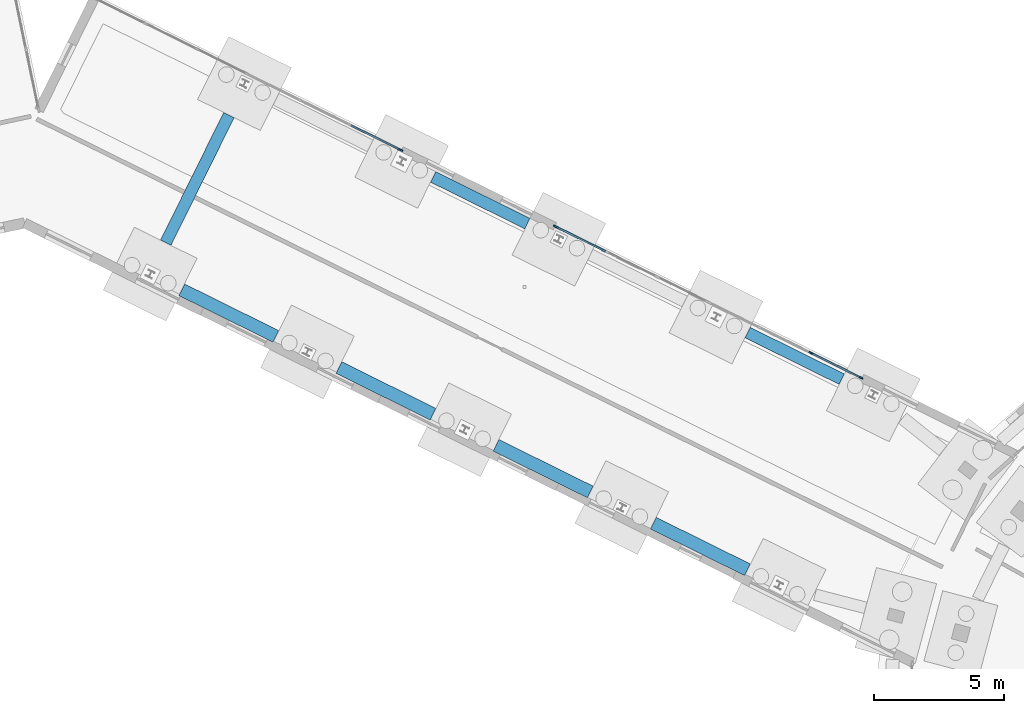
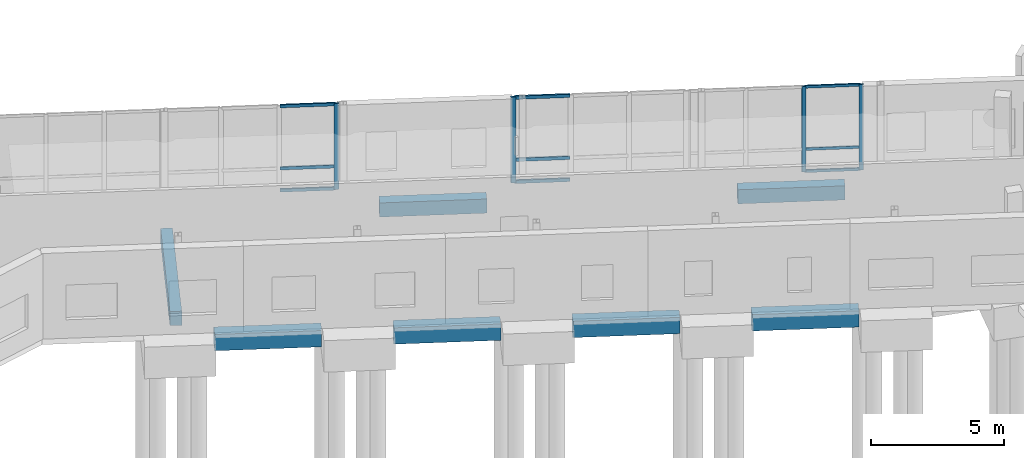
# One storey, part 60 of 113: 13 members, 7 beams, 3 elements without a shape of their own.
"""IFC4 building model written with IfcOpenShell, lengths in metres."""

from ifc_helpers import new_model, si_unit, direction, frame, origin, origin_2d, place, context, subcontext, project, spatial, rectangle, extrude, material, material_profile, profile_set, type_object, element, aggregate, save


model = new_model("IFC4")

# Units and contexts
model_context = context("Model", 3, precision=1e-05, world=origin(), true_north=direction((0.0, 1.0)))
body_context = subcontext(model_context, "Body", "Model", "MODEL_VIEW")
ifc_project = project(units=[si_unit("LENGTHUNIT", "METRE"), si_unit("AREAUNIT", "SQUARE_METRE"), si_unit("VOLUMEUNIT", "CUBIC_METRE"), si_unit("PLANEANGLEUNIT", "RADIAN"), si_unit("MASSUNIT", "GRAM", prefix="KILO")], contexts=[model_context])

# Site, building, storey
site_placement = place(None, origin())
site = spatial("IfcSite", under=ifc_project, at=site_placement, CompositionType="ELEMENT")
building_placement = place(site_placement, origin())
building = spatial("IfcBuilding", under=site, at=building_placement, Name="Wrenclough Park School", CompositionType="ELEMENT")
storey_placement = place(building_placement, origin())
storey = spatial("IfcBuildingStorey", under=building, at=storey_placement, Name="L00", CompositionType="ELEMENT", Elevation=0.0)

# Curtain wall, members
ifc_material_1 = material(Name="Thermally broken aluminium and low-e glass curtain wall", Category="aluminium")
curtain_wall_type_1 = type_object("IfcCurtainWallType", Name="ENV-CW-06", PredefinedType="USERDEFINED", material=ifc_material_1)
curtain_wall_1_placement = place(storey_placement, origin())
curtain_wall_1 = element("IfcCurtainWall", 1, at=curtain_wall_1_placement, inside=storey, type_object=curtain_wall_type_1, Name="L00 recessed curtain wall assembly 021", ObjectType="CURTAIN WALL", PredefinedType="USERDEFINED")
ifc_material_2 = material(Name="Thermally broken anodised aluminium", Category="aluminium")
ifc_material_profile_1 = material_profile(ifc_material_2, rectangle(XDim=0.06005859375, YDim=0.159912109375, at=origin_2d()), Name="AL MULLION 60x160")
ifc_profile_set_1 = profile_set([ifc_material_profile_1], Name="Thermally broken anodised aluminium")
member_type_1 = type_object("IfcMemberType", Name="ENV-CWM-1", PredefinedType="MULLION", material=ifc_profile_set_1)
member_1_placement = place(storey_placement, frame((155.720947265625, 107.791259765625, 0.0), z_axis=(0.0, 0.0, 1.0), x_axis=(0.4434991421, 0.896274796564, 0.0)))
member_1 = element("IfcMember", 2, at=member_1_placement, type_object=member_type_1, Name="CW-06 mullion 3", PredefinedType="MULLION", context=body_context, shape_type="SweptSolid", body=[
    extrude(rectangle(XDim=0.06005859375, YDim=0.159912109375, at=origin_2d()), origin(), (0.0, 0.0, 1.0), 3.93994140625),
])
member_2_placement = place(storey_placement, frame((157.6650390625, 106.829345703125, 0.0), z_axis=(0.0, 0.0, 1.0), x_axis=(0.4434991421, 0.896274796564, 0.0)))
member_2 = element("IfcMember", 3, at=member_2_placement, type_object=member_type_1, Name="CW-06 mullion 4", PredefinedType="MULLION", context=body_context, shape_type="SweptSolid", body=[
    extrude(rectangle(XDim=0.06005859375, YDim=0.159912109375, at=origin_2d()), origin(), (0.0, 0.0, 1.0), 3.93994140625),
])

# Curtain wall, member
curtain_wall_type_2 = type_object("IfcCurtainWallType", Name="ENV-CW-04", PredefinedType="USERDEFINED", material=ifc_material_1)
curtain_wall_2_placement = place(storey_placement, origin())
curtain_wall_2 = element("IfcCurtainWall", 4, at=curtain_wall_2_placement, inside=storey, type_object=curtain_wall_type_2, Name="L00 recessed curtain wall assembly 019", ObjectType="CURTAIN WALL", PredefinedType="USERDEFINED")
ifc_material_profile_2 = material_profile(ifc_material_2, rectangle(XDim=0.06494140625, YDim=0.179931640625, at=origin_2d()), Name="AL MULLION 65x180")
ifc_profile_set_2 = profile_set([ifc_material_profile_2], Name="Thermally broken anodised aluminium")
member_type_2 = type_object("IfcMemberType", Name="ENV-CWM-2", PredefinedType="MULLION", material=ifc_profile_set_2)
member_3_placement = place(storey_placement, frame((139.902099609375, 115.619140625, 0.0), z_axis=(0.0, 0.0, 1.0), x_axis=(0.4434991421, 0.896274796564, 0.0)))
member_3 = element("IfcMember", 5, at=member_3_placement, type_object=member_type_2, Name="CW-04 mullion 4", PredefinedType="MULLION", context=body_context, shape_type="SweptSolid", body=[
    extrude(rectangle(XDim=0.06494140625, YDim=0.179931640625, at=origin_2d()), origin(), (0.0, 0.0, 1.0), 3.93994140625),
])

curtain_wall_type_3 = type_object("IfcCurtainWallType", Name="ENV-CW-05", PredefinedType="USERDEFINED", material=ifc_material_1)
curtain_wall_3_placement = place(storey_placement, origin())
curtain_wall_3 = element("IfcCurtainWall", 6, at=curtain_wall_3_placement, inside=storey, type_object=curtain_wall_type_3, Name="L00 recessed curtain wall assembly 020", ObjectType="CURTAIN WALL", PredefinedType="USERDEFINED")
ifc_material_profile_3 = material_profile(ifc_material_2, rectangle(XDim=0.070068359375, YDim=0.199951171875, at=origin_2d()), Name="AL MULLION 70x200")
ifc_profile_set_3 = profile_set([ifc_material_profile_3], Name="Thermally broken anodised aluminium")
member_type_3 = type_object("IfcMemberType", Name="ENV-CWM-3", PredefinedType="MULLION", material=ifc_profile_set_3)
member_4_placement = place(storey_placement, frame((145.89013671875, 112.656005859375, 0.0), z_axis=(0.0, 0.0, 1.0), x_axis=(0.443511318294, 0.896268771377, 0.0)))
member_4 = element("IfcMember", 7, at=member_4_placement, type_object=member_type_3, Name="CW-05 mullion 1", PredefinedType="MULLION", context=body_context, shape_type="SweptSolid", body=[
    extrude(rectangle(XDim=0.070068359375, YDim=0.199951171875, at=origin_2d()), origin(), (0.0, 0.0, 1.0), 3.93994140625),
])

# Member
ifc_material_profile_4 = material_profile(ifc_material_2, rectangle(XDim=0.06005859375, YDim=0.1201171875, at=origin_2d()), Name="AL TRANSOM 60x120")
ifc_profile_set_4 = profile_set([ifc_material_profile_4], Name="Thermally broken anodised aluminium")
member_type_4 = type_object("IfcMemberType", Name="ENV-CWT-1", PredefinedType="USERDEFINED", material=ifc_profile_set_4)
member_5_placement = place(storey_placement, frame((155.747802734375, 107.778076171875, 0.030029296875), z_axis=(0.89624855453, -0.443552171117, 0.0), x_axis=(0.443552171117, 0.89624855453, 0.0)))
member_5 = element("IfcMember", 8, at=member_5_placement, type_object=member_type_4, Name="CW-06 transom 3.1", ObjectType="TRANSOM", PredefinedType="USERDEFINED", context=body_context, shape_type="SweptSolid", body=[
    extrude(rectangle(XDim=0.06005859375, YDim=0.1201171875, at=origin_2d()), origin(), (0.0, 0.0, 1.0), 2.109130859375),
])

member_6_placement = place(storey_placement, frame((155.747802734375, 107.778076171875, 1.050048828125), z_axis=(0.89624855453, -0.443552171117, 0.0), x_axis=(0.443552171117, 0.89624855453, 0.0)))
member_6 = element("IfcMember", 9, at=member_6_placement, type_object=member_type_4, Name="CW-06 transom 3.2", ObjectType="TRANSOM", PredefinedType="USERDEFINED", context=body_context, shape_type="SweptSolid", body=[
    extrude(rectangle(XDim=0.06005859375, YDim=0.1201171875, at=origin_2d()), origin(), (0.0, 0.0, 1.0), 2.109130859375),
])

member_7_placement = place(storey_placement, frame((155.747802734375, 107.778076171875, 3.909912109375), z_axis=(0.89624855453, -0.443552171117, 0.0), x_axis=(0.443552171117, 0.89624855453, 0.0)))
member_7 = element("IfcMember", 10, at=member_7_placement, type_object=member_type_4, Name="CW-06 transom 3.3", ObjectType="TRANSOM", PredefinedType="USERDEFINED", context=body_context, shape_type="SweptSolid", body=[
    extrude(rectangle(XDim=0.06005859375, YDim=0.1201171875, at=origin_2d()), origin(), (0.0, 0.0, 1.0), 2.109130859375),
])

aggregate(curtain_wall_1, [member_1, member_2, member_5, member_6, member_7])

ifc_material_profile_5 = material_profile(ifc_material_2, rectangle(XDim=0.06494140625, YDim=0.139892578125, at=origin_2d()), Name="AL TRANSOM 65x140")
ifc_profile_set_5 = profile_set([ifc_material_profile_5], Name="Thermally broken anodised aluminium")
member_type_5 = type_object("IfcMemberType", Name="ENV-CWT-2", PredefinedType="USERDEFINED", material=ifc_profile_set_5)
member_8_placement = place(storey_placement, frame((137.989501953125, 116.565673828125, 0.032470703125), z_axis=(0.896255150949, -0.443538842038, 0.0), x_axis=(0.443538842038, 0.896255150949, 0.0)))
member_8 = element("IfcMember", 11, at=member_8_placement, type_object=member_type_5, Name="CW-04 transom 3.1", ObjectType="TRANSOM", PredefinedType="USERDEFINED", context=body_context, shape_type="SweptSolid", body=[
    extrude(rectangle(XDim=0.06494140625, YDim=0.139892578125, at=origin_2d()), origin(), (0.0, 0.0, 1.0), 2.1015625),
])

member_9_placement = place(storey_placement, frame((137.989501953125, 116.565673828125, 1.050048828125), z_axis=(0.896255150949, -0.443538842038, 0.0), x_axis=(0.443538842038, 0.896255150949, 0.0)))
member_9 = element("IfcMember", 12, at=member_9_placement, type_object=member_type_5, Name="CW-04 transom 3.2", ObjectType="TRANSOM", PredefinedType="USERDEFINED", context=body_context, shape_type="SweptSolid", body=[
    extrude(rectangle(XDim=0.06494140625, YDim=0.139892578125, at=origin_2d()), origin(), (0.0, 0.0, 1.0), 2.1015625),
])

member_10_placement = place(storey_placement, frame((137.989501953125, 116.565673828125, 3.907470703125), z_axis=(0.896255150949, -0.443538842038, 0.0), x_axis=(0.443538842038, 0.896255150949, 0.0)))
member_10 = element("IfcMember", 13, at=member_10_placement, type_object=member_type_5, Name="CW-04 transom 3.3", ObjectType="TRANSOM", PredefinedType="USERDEFINED", context=body_context, shape_type="SweptSolid", body=[
    extrude(rectangle(XDim=0.06494140625, YDim=0.139892578125, at=origin_2d()), origin(), (0.0, 0.0, 1.0), 2.1015625),
])

aggregate(curtain_wall_2, [member_3, member_8, member_9, member_10])

ifc_material_profile_6 = material_profile(ifc_material_2, rectangle(XDim=0.070068359375, YDim=0.14990234375, at=origin_2d()), Name="AL TRANSOM 70x150")
ifc_profile_set_6 = profile_set([ifc_material_profile_6], Name="Thermally broken anodised aluminium")
member_type_6 = type_object("IfcMemberType", Name="ENV-CWT-3", PredefinedType="USERDEFINED", material=ifc_profile_set_6)
member_11_placement = place(storey_placement, frame((145.92138671875, 112.640380859375, 0.034912109375), z_axis=(0.896284727587, -0.443479071766, 0.0), x_axis=(0.443479071766, 0.896284727587, 0.0)))
member_11 = element("IfcMember", 14, at=member_11_placement, type_object=member_type_6, Name="CW-05 transom 1.1", ObjectType="TRANSOM", PredefinedType="USERDEFINED", context=body_context, shape_type="SweptSolid", body=[
    extrude(rectangle(XDim=0.070068359375, YDim=0.14990234375, at=origin_2d()), origin(), (0.0, 0.0, 1.0), 2.09423828125),
])

member_12_placement = place(storey_placement, frame((145.92138671875, 112.640380859375, 1.050048828125), z_axis=(0.896284727587, -0.443479071766, 0.0), x_axis=(0.443479071766, 0.896284727587, 0.0)))
member_12 = element("IfcMember", 15, at=member_12_placement, type_object=member_type_6, Name="CW-05 transom 1.2", ObjectType="TRANSOM", PredefinedType="USERDEFINED", context=body_context, shape_type="SweptSolid", body=[
    extrude(rectangle(XDim=0.070068359375, YDim=0.14990234375, at=origin_2d()), origin(), (0.0, 0.0, 1.0), 2.09423828125),
])

member_13_placement = place(storey_placement, frame((145.92138671875, 112.640380859375, 3.905029296875), z_axis=(0.896284727587, -0.443479071766, 0.0), x_axis=(0.443479071766, 0.896284727587, 0.0)))
member_13 = element("IfcMember", 16, at=member_13_placement, type_object=member_type_6, Name="CW-05 transom 1.3", ObjectType="TRANSOM", PredefinedType="USERDEFINED", context=body_context, shape_type="SweptSolid", body=[
    extrude(rectangle(XDim=0.070068359375, YDim=0.14990234375, at=origin_2d()), origin(), (0.0, 0.0, 1.0), 2.09423828125),
])

aggregate(curtain_wall_3, [member_4, member_11, member_12, member_13])

# Beams
ifc_material_3 = material(Name="Concrete C35/45", Category="concrete")
ifc_material_profile_7 = material_profile(ifc_material_3, rectangle(XDim=0.449951171875, YDim=0.64990234375, at=origin_2d()), Name="RC GROUND 450x650")
ifc_profile_set_7 = profile_set([ifc_material_profile_7], Name="Concrete C35/45")
beam_type_1 = type_object("IfcBeamType", Name="STR-BM-GTB1", PredefinedType="USERDEFINED", material=ifc_profile_set_7)
beam_placement = place(storey_placement, frame((133.278564453125, 116.95751953125, -0.625), z_axis=(-0.443505717711, -0.896271542758, 0.0), x_axis=(0.896271542758, -0.443505717711, 0.0)))
element("IfcBeam", 17, at=beam_placement, inside=storey, type_object=beam_type_1, Name="Reinforced concrete ground tie beam 161", ObjectType="GROUND TIE BEAM", PredefinedType="USERDEFINED", context=body_context, shape_type="SweptSolid", body=[
    extrude(rectangle(XDim=0.449951171875, YDim=0.64990234375, at=origin_2d()), origin(), (0.0, 0.0, 1.0), 5.48388671875),
])
for number, where, z_axis, x_axis, name in (
    (18, (141.160400390625, 114.572509765625, -0.625), (0.896276920073, -0.44349485064, 0.0), (0.44349485064, 0.896276920073, 0.0), "Reinforced concrete ground tie beam 163"),
    (19, (153.285400390625, 108.572509765625, -0.625), (0.896276920073, -0.44349485064, 0.0), (0.44349485064, 0.896276920073, 0.0), "Reinforced concrete ground tie beam 167"),
):
    element("IfcBeam", number, at=place(storey_placement, frame(where, z_axis=z_axis, x_axis=x_axis)), inside=storey, type_object=beam_type_1, Name=name, ObjectType="GROUND TIE BEAM", PredefinedType="USERDEFINED", context=body_context, shape_type="SweptSolid", body=[
        extrude(rectangle(XDim=0.449951171875, YDim=0.64990234375, at=origin_2d()), origin(), (0.0, 0.0, 1.0), 4.04833984375),
    ])
ifc_material_profile_8 = material_profile(ifc_material_3, rectangle(XDim=0.5, YDim=0.75, at=origin_2d()), Name="RC GROUND 500x750")
ifc_profile_set_8 = profile_set([ifc_material_profile_8], Name="Concrete C35/45")
beam_type_2 = type_object("IfcBeamType", Name="STR-BM-GTB2", PredefinedType="USERDEFINED", material=ifc_profile_set_8)
for number, where, z_axis, x_axis, name in (
    (20, (131.461181640625, 110.222900390625, -0.675048828125), (0.896276920073, -0.44349485064, 0.0), (0.44349485064, 0.896276920073, 0.0), "Reinforced concrete ground tie beam 162"),
    (21, (137.523681640625, 107.222900390625, -0.675048828125), (0.896276920073, -0.44349485064, 0.0), (0.44349485064, 0.896276920073, 0.0), "Reinforced concrete ground tie beam 164"),
    (22, (143.586181640625, 104.222900390625, -0.675048828125), (0.896276920073, -0.44349485064, 0.0), (0.44349485064, 0.896276920073, 0.0), "Reinforced concrete ground tie beam 166"),
    (23, (149.648681640625, 101.222900390625, -0.675048828125), (0.896276920073, -0.44349485064, 0.0), (0.44349485064, 0.896276920073, 0.0), "Reinforced concrete ground tie beam 168"),
):
    element("IfcBeam", number, at=place(storey_placement, frame(where, z_axis=z_axis, x_axis=x_axis)), inside=storey, type_object=beam_type_2, Name=name, ObjectType="GROUND TIE BEAM", PredefinedType="USERDEFINED", context=body_context, shape_type="SweptSolid", body=[
        extrude(rectangle(XDim=0.5, YDim=0.75, at=origin_2d()), origin(), (0.0, 0.0, 1.0), 4.04833984375),
    ])

save(model, "model.ifc")
